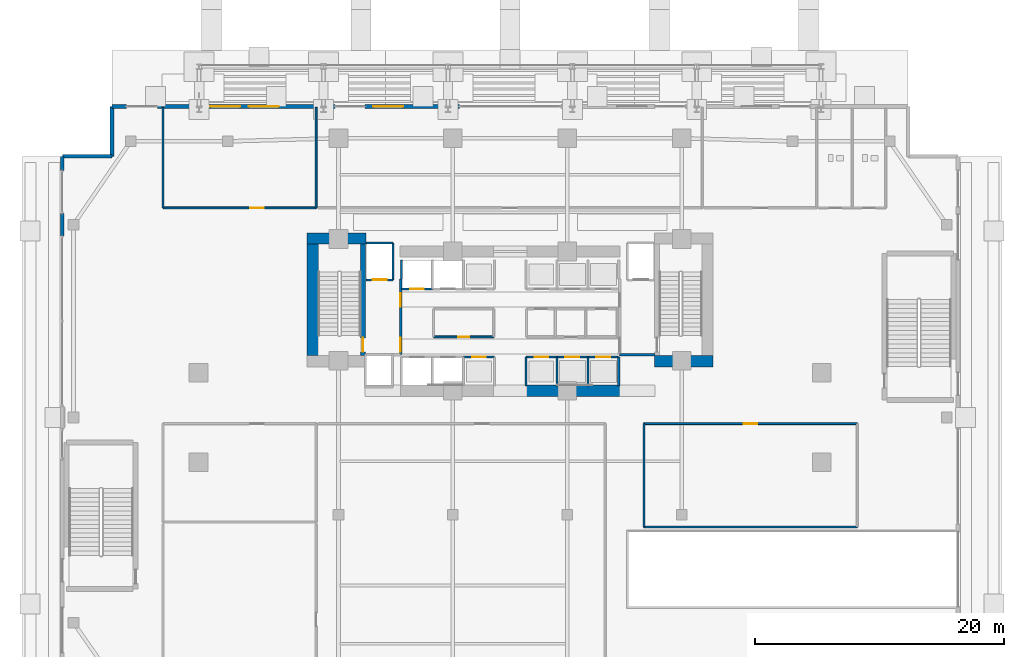
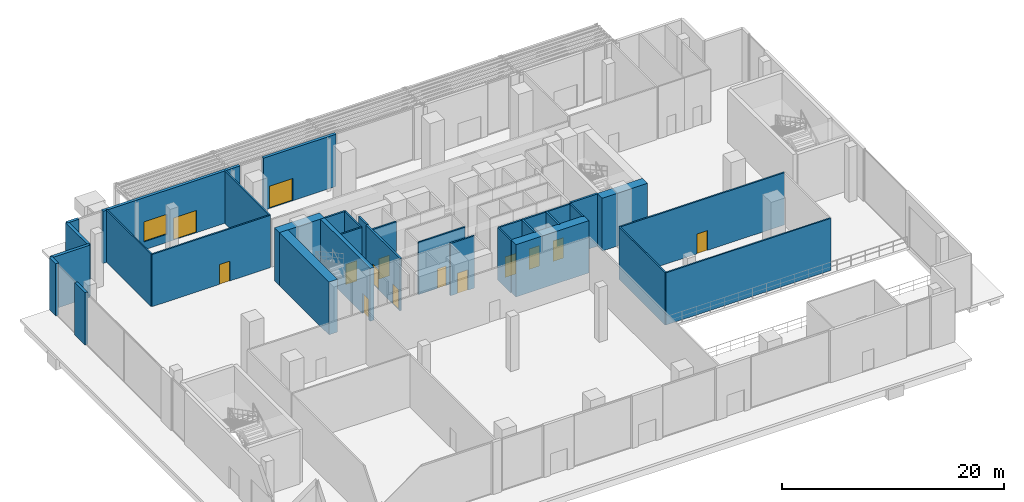
# One storey, part 29 of 39: 34 walls, 14 doors, 1 window, 15 openings.
"""IFC4 building model written with IfcOpenShell, lengths in metres."""

from ifc_helpers import new_model, si_unit, direction, frame, frame_2d, origin, place, context, subcontext, project, spatial, rectangle, extrude, material, layer, layer_set, type_object, element, fill, save


model = new_model("IFC4")

# Units and contexts
model_context = context("Model", 3, precision=1e-05, world=origin(), true_north=direction((0.0, 1.0)))
body_context = subcontext(model_context, "Body", "Model", "MODEL_VIEW")
ifc_project = project(units=[si_unit("LENGTHUNIT", "METRE"), si_unit("AREAUNIT", "SQUARE_METRE"), si_unit("VOLUMEUNIT", "CUBIC_METRE"), si_unit("PLANEANGLEUNIT", "RADIAN"), si_unit("MASSUNIT", "GRAM", prefix="KILO")], contexts=[model_context])

# Site, building, storey
site_placement = place(None, origin())
site = spatial("IfcSite", under=ifc_project, at=site_placement, CompositionType="ELEMENT")
building_placement = place(site_placement, origin())
building = spatial("IfcBuilding", under=site, at=building_placement, Name="Zuhayl Quay Hotel", CompositionType="ELEMENT")
storey_placement = place(building_placement, origin())
storey = spatial("IfcBuildingStorey", under=building, at=storey_placement, Name="L00", CompositionType="ELEMENT", Elevation=0.0)

# Walls
ifc_material_1 = material(Name="Concrete C70/85", Category="concrete")
ifc_layer_1 = layer(ifc_material_1, 0.89990234375, Name="Concrete C70/85", Category="concrete")
ifc_layer_set_1 = layer_set([ifc_layer_1], Name="Concrete C70/85")
wall_type_1 = type_object("IfcWallType", Name="WL_CORE_900", PredefinedType="SHEAR", material=ifc_layer_set_1)
wall_1_placement = place(storey_placement, frame((-16.31005859375, 14.3798828125, 0.0), z_axis=(0.0, 0.0, 1.0), x_axis=(1.0, 0.0, 0.0)))
element("IfcWall", 1, at=wall_1_placement, inside=storey, type_object=wall_type_1, Name="L00 Core Shear Wall CW_NW", PredefinedType="SHEAR", context=body_context, shape_type="SweptSolid", body=[
    extrude(rectangle(XDim=4.7099609375, YDim=0.89990234375, at=frame_2d((2.35498046875, 0.0))), origin(), (0.0, 0.0, 1.0), 5.81005859375),
])
wall_2_placement = place(storey_placement, frame((-15.860107421875, 4.969970703125, 0.0), z_axis=(0.0, 0.0, 1.0), x_axis=(0.0, 1.0, 0.0)))
element("IfcWall", 2, at=wall_2_placement, inside=storey, type_object=wall_type_1, Name="L00 Core Shear Wall CW_W", PredefinedType="SHEAR", context=body_context, shape_type="SweptSolid", body=[
    extrude(rectangle(XDim=8.9599609375, YDim=0.89990234375, at=frame_2d((4.47998046875, 0.0))), origin(), (0.0, 0.0, 1.0), 5.81005859375),
])
wall_3_placement = place(storey_placement, frame((11.60009765625, 4.52001953125, 0.0), z_axis=(0.0, 0.0, 1.0), x_axis=(1.0, 0.0, 0.0)))
element("IfcWall", 3, at=wall_3_placement, inside=storey, type_object=wall_type_1, Name="L00 Core Shear Wall CW_SE", PredefinedType="SHEAR", context=body_context, shape_type="SweptSolid", body=[
    extrude(rectangle(XDim=4.7099609375, YDim=0.89990234375, at=frame_2d((2.35498046875, 0.0))), origin(), (0.0, 0.0, 1.0), 5.81005859375),
])
wall_4_placement = place(storey_placement, frame((1.25, 2.14990234375, 0.0), z_axis=(0.0, 0.0, 1.0), x_axis=(1.0, 0.0, 0.0)))
element("IfcWall", 4, at=wall_4_placement, inside=storey, type_object=wall_type_1, Name="L00 Core Shear Wall CW_SC_E", PredefinedType="SHEAR", context=body_context, shape_type="SweptSolid", body=[
    extrude(rectangle(XDim=7.60009765625, YDim=0.89990234375, at=frame_2d((3.800048828125, 0.0))), origin(), (0.0, 0.0, 1.0), 5.75),
])
ifc_material_2 = material(Name="Precast concrete C45/55", Category="concrete")
ifc_layer_2 = layer(ifc_material_2, 0.300048828125, Name="Precast concrete C45/55", Category="concrete")
ifc_layer_set_2 = layer_set([ifc_layer_2], Name="Precast concrete C45/55")
wall_type_2 = type_object("IfcWallType", Name="WL_EXT_300", PredefinedType="STANDARD", material=ifc_layer_set_2)
wall_5_placement = place(storey_placement, frame((-36.0, 14.580078125, 0.0), z_axis=(0.0, 0.0, 1.0), x_axis=(0.0, 1.0, 0.0)))
element("IfcWall", 5, at=wall_5_placement, inside=storey, type_object=wall_type_2, Name="L00 Exterior Precast Wall ENV_L00_E02_EW3", PredefinedType="STANDARD", context=body_context, shape_type="SweptSolid", body=[
    extrude(rectangle(XDim=1.83984375, YDim=0.300048828125, at=frame_2d((0.919921875, 0.0))), origin(), (0.0, 0.0, 1.0), 5.75),
])
wall_6_placement = place(storey_placement, frame((-36.0, 19.85009765625, 0.0), z_axis=(0.0, 0.0, 1.0), x_axis=(0.0, 1.0, 0.0)))
element("IfcWall", 6, at=wall_6_placement, inside=storey, type_object=wall_type_2, Name="L00 Exterior Precast Wall ENV_L00_E02_EW4", PredefinedType="STANDARD", context=body_context, shape_type="SweptSolid", body=[
    extrude(rectangle(XDim=1.14990234375, YDim=0.300048828125, at=frame_2d((0.574951171875, 0.0))), origin(), (0.0, 0.0, 1.0), 5.75),
])
for number, where, z_axis, x_axis, name in (
    (7, (-36.0, 21.0, 0.0), (0.0, 0.0, 1.0), (1.0, 0.0, 0.0), "L00 Exterior Precast Wall ENV_L00_EW03"),
    (8, (-32.0, 21.0, 0.0), (0.0, 0.0, 1.0), (0.0, 1.0, 0.0), "L00 Exterior Precast Wall ENV_L00_EW04"),
):
    element("IfcWall", number, at=place(storey_placement, frame(where, z_axis=z_axis, x_axis=x_axis)), inside=storey, type_object=wall_type_2, Name=name, PredefinedType="STANDARD", context=body_context, shape_type="SweptSolid", body=[
        extrude(rectangle(XDim=4.0, YDim=0.300048828125, at=frame_2d((2.0, 0.0))), origin(), (0.0, 0.0, 1.0), 5.75),
    ])
wall_7_placement = place(storey_placement, frame((-32.0, 25.0, 0.0), z_axis=(0.0, 0.0, 1.0), x_axis=(1.0, 0.0, 0.0)))
element("IfcWall", 9, at=wall_7_placement, inside=storey, type_object=wall_type_2, Name="L00 Exterior Precast Wall ENV_L00_E05_EW1", PredefinedType="STANDARD", context=body_context, shape_type="SweptSolid", body=[
    extrude(rectangle(XDim=1.14990234375, YDim=0.300048828125, at=frame_2d((0.574951171875, 0.0))), origin(), (0.0, 0.0, 1.0), 5.75),
])

# Wall, openings, door, window
wall_8_placement = place(storey_placement, frame((-28.35009765625, 25.0, 0.0), z_axis=(0.0, 0.0, 1.0), x_axis=(1.0, 0.0, 0.0)))
wall_8 = element("IfcWall", 10, at=wall_8_placement, inside=storey, type_object=wall_type_2, Name="L00 Exterior Precast Wall ENV_L00_E05_EW2", PredefinedType="STANDARD", context=body_context, shape_type="SweptSolid", body=[
    extrude(rectangle(XDim=14.27001953125, YDim=0.300048828125, at=frame_2d((7.135009765625, 0.0))), origin(), (0.0, 0.0, 1.0), 5.75),
])
opening_1_placement = place(wall_8_placement, frame((7.35009765625, 0.0, 0.0)))
opening_1 = element("IfcOpeningElement", 11, at=opening_1_placement, cuts=wall_8, Name="Opening DE1B", PredefinedType="OPENING", context=body_context, shape_type="SweptSolid", body=[
    extrude(rectangle(XDim=2.39990234375, YDim=2.449951171875, at=frame_2d((1.199951171875, 1.22509765625))), frame((0.0, 0.159912109375, 0.0), z_axis=(0.0, -1.0, 0.0), x_axis=(1.0, 0.0, 0.0)), (0.0, 0.0, 1.0), 0.320068359375),
])
opening_2_placement = place(wall_8_placement, frame((4.25, 0.0, 0.89990234375)))
opening_2 = element("IfcOpeningElement", 12, at=opening_2_placement, cuts=wall_8, Name="Opening W02", PredefinedType="OPENING", context=body_context, shape_type="SweptSolid", body=[
    extrude(rectangle(XDim=2.39990234375, YDim=2.199951171875, at=frame_2d((1.199951171875, 1.10009765625))), frame((0.0, 0.159912109375, 0.0), z_axis=(0.0, -1.0, 0.0), x_axis=(1.0, 0.0, 0.0)), (0.0, 0.0, 1.0), 0.320068359375),
])
ifc_material_3 = material(Name="Anodised Aluminium and Laminated Glass", Category="aluminium")
door_type_1 = type_object("IfcDoorType", Name="DR_EXT_ENT_2400", OperationType="DOUBLE_DOOR_SINGLE_SWING", PredefinedType="DOOR", material=ifc_material_3)
door_1_placement = place(opening_1_placement, origin())
door_1 = element("IfcDoor", 13, at=door_1_placement, inside=storey, type_object=door_type_1, Name="Waterfront Brasserie Promenade Exit West", OperationType="DOUBLE_DOOR_SINGLE_SWING", OverallHeight=2.449951171875, OverallWidth=2.39990234375, PredefinedType="DOOR", context=body_context, shape_type="SweptSolid", body=[
    extrude(rectangle(XDim=2.39990234375, YDim=2.449951171875, at=frame_2d((1.199951171875, 1.22509765625))), frame((0.0, 0.02490234375, 0.0), z_axis=(0.0, -1.0, 0.0), x_axis=(1.0, 0.0, 0.0)), (0.0, 0.0, 1.0), 0.050048828125),
])
fill(opening_1, door_1)
ifc_material_4 = material(Name="Low-E Insulated Clear Vision Glass", Category="glass")
window_type = type_object("IfcWindowType", Name="WN_POD_2400", PartitioningType="TRIPLE_PANEL_VERTICAL", PredefinedType="WINDOW", material=ifc_material_4)
window_placement = place(opening_2_placement, origin())
window = element("IfcWindow", 14, at=window_placement, inside=storey, type_object=window_type, Name="L00 Brasserie Gulf Window", OverallHeight=2.199951171875, OverallWidth=2.39990234375, PartitioningType="SINGLE_PANEL", PredefinedType="WINDOW", context=body_context, shape_type="SweptSolid", body=[
    extrude(rectangle(XDim=2.39990234375, YDim=2.199951171875, at=frame_2d((1.199951171875, 1.10009765625))), frame((0.0, 0.030029296875, 0.0), z_axis=(0.0, -1.0, 0.0), x_axis=(1.0, 0.0, 0.0)), (0.0, 0.0, 1.0), 0.06005859375),
])
fill(opening_2, window)

# Wall, opening, door
wall_9_placement = place(storey_placement, frame((-11.64990234375, 25.0, 0.0), z_axis=(0.0, 0.0, 1.0), x_axis=(1.0, 0.0, 0.0)))
wall_9 = element("IfcWall", 15, at=wall_9_placement, inside=storey, type_object=wall_type_2, Name="L00 Exterior Precast Wall ENV_L00_E05_EW3", PredefinedType="STANDARD", context=body_context, shape_type="SweptSolid", body=[
    extrude(rectangle(XDim=7.56982421875, YDim=0.300048828125, at=frame_2d((3.784912109375, 0.0))), origin(), (0.0, 0.0, 1.0), 5.75),
])
opening_3_placement = place(wall_9_placement, frame((0.64990234375, 0.0, 0.0)))
opening_3 = element("IfcOpeningElement", 16, at=opening_3_placement, cuts=wall_9, Name="Opening DE1B", PredefinedType="OPENING", context=body_context, shape_type="SweptSolid", body=[
    extrude(rectangle(XDim=2.39990234375, YDim=2.449951171875, at=frame_2d((1.199951171875, 1.22509765625))), frame((0.0, 0.159912109375, 0.0), z_axis=(0.0, -1.0, 0.0), x_axis=(1.0, 0.0, 0.0)), (0.0, 0.0, 1.0), 0.320068359375),
])
door_2_placement = place(opening_3_placement, origin())
door_2 = element("IfcDoor", 17, at=door_2_placement, inside=storey, type_object=door_type_1, Name="Grand Waterfront Entrance West", OperationType="DOUBLE_DOOR_SINGLE_SWING", OverallHeight=2.449951171875, OverallWidth=2.39990234375, PredefinedType="DOOR", context=body_context, shape_type="SweptSolid", body=[
    extrude(rectangle(XDim=2.39990234375, YDim=2.449951171875, at=frame_2d((1.199951171875, 1.22509765625))), frame((0.0, 0.02490234375, 0.0), z_axis=(0.0, -1.0, 0.0), x_axis=(1.0, 0.0, 0.0)), (0.0, 0.0, 1.0), 0.050048828125),
])
fill(opening_3, door_2)

ifc_material_5 = material(Name="Acoustic Gypsum Partition STC-58")
ifc_layer_3 = layer(ifc_material_5, 0.14990234375, Name="Acoustic Gypsum Partition STC-58")
ifc_layer_set_3 = layer_set([ifc_layer_3], Name="Acoustic Gypsum Partition STC-58")
wall_type_3 = type_object("IfcWallType", Name="WL_PART_150", PredefinedType="PARTITIONING", material=ifc_layer_set_3)
wall_10_placement = place(storey_placement, frame((-6.159912109375, 6.47998046875, 0.0), z_axis=(0.0, 0.0, 1.0), x_axis=(1.0, 0.0, 0.0)))
wall_10 = element("IfcWall", 18, at=wall_10_placement, inside=storey, type_object=wall_type_3, Name="L00 Partition IW_L00_CORE_SV_S", PredefinedType="PARTITIONING", context=body_context, shape_type="SweptSolid", body=[
    extrude(rectangle(XDim=4.83984375, YDim=0.14990234375, at=frame_2d((2.419921875, 0.0))), origin(), (0.0, 0.0, 1.0), 5.75),
])
opening_4_placement = place(wall_10_placement, frame((1.969970703125, 0.0, 0.0)))
opening_4 = element("IfcOpeningElement", 19, at=opening_4_placement, cuts=wall_10, Name="Opening D06", PredefinedType="OPENING", context=body_context, shape_type="SweptSolid", body=[
    extrude(rectangle(XDim=0.89990234375, YDim=2.14990234375, at=frame_2d((0.449951171875, 1.074951171875))), frame((0.0, 0.0849609375, 0.0), z_axis=(0.0, -1.0, 0.0), x_axis=(1.0, 0.0, 0.0)), (0.0, 0.0, 1.0), 0.169921875),
])
ifc_material_6 = material(Name="Steel ASTM A992 Grade 50", Category="steel")
door_type_2 = type_object("IfcDoorType", Name="DR_INT_900", OperationType="NOTDEFINED", PredefinedType="DOOR", material=ifc_material_6)
door_3_placement = place(opening_4_placement, origin())
door_3 = element("IfcDoor", 20, at=door_3_placement, inside=storey, type_object=door_type_2, Name="L00 Core Ice and Linen Store Door", OperationType="SINGLE_SWING_RIGHT", OverallHeight=2.14990234375, OverallWidth=0.89990234375, PredefinedType="DOOR", context=body_context, shape_type="SweptSolid", body=[
    extrude(rectangle(XDim=0.89990234375, YDim=2.14990234375, at=frame_2d((0.449951171875, 1.074951171875))), frame((0.0, 0.02490234375, 0.0), z_axis=(0.0, -1.0, 0.0), x_axis=(1.0, 0.0, 0.0)), (0.0, 0.0, 1.0), 0.050048828125),
])
fill(opening_4, door_3)

# Walls
for number, where, z_axis, x_axis, name in (
    (21, (-27.89990234375, 16.85009765625, 0.0), (0.0, 0.0, 1.0), (0.0, 1.0, 0.0), "L00 Partition IW_L00_BRASSERIE_W"),
    (22, (-15.60009765625, 16.85009765625, 0.0), (0.0, 0.0, 1.0), (0.0, 1.0, 0.0), "L00 Partition IW_L00_BRASSERIE_E"),
):
    element("IfcWall", number, at=place(storey_placement, frame(where, z_axis=z_axis, x_axis=x_axis)), inside=storey, type_object=wall_type_3, Name=name, PredefinedType="PARTITIONING", context=body_context, shape_type="SweptSolid", body=[
        extrude(rectangle(XDim=8.08984375, YDim=0.14990234375, at=frame_2d((4.044921875, 0.0))), origin(), (0.0, 0.0, 1.0), 5.75),
    ])
wall_11_placement = place(storey_placement, frame((10.760009765625, -8.800048828125, 0.0), z_axis=(0.0, 0.0, 1.0), x_axis=(1.0, 0.0, 0.0)))
element("IfcWall", 23, at=wall_11_placement, inside=storey, type_object=wall_type_3, Name="L00 Partition IW_L00_LUGGAGE_E_S", PredefinedType="PARTITIONING", context=body_context, shape_type="SweptSolid", body=[
    extrude(rectangle(XDim=17.139892578125, YDim=0.14990234375, at=frame_2d((8.56982421875, 0.0))), origin(), (0.0, 0.0, 1.0), 5.75),
])
wall_12_placement = place(storey_placement, frame((10.760009765625, -8.800048828125, 0.0), z_axis=(0.0, 0.0, 1.0), x_axis=(0.0, 1.0, 0.0)))
element("IfcWall", 24, at=wall_12_placement, inside=storey, type_object=wall_type_3, Name="L00 Partition IW_L00_LUGGAGE_E_W", PredefinedType="PARTITIONING", context=body_context, shape_type="SweptSolid", body=[
    extrude(rectangle(XDim=8.300048828125, YDim=0.14990234375, at=frame_2d((4.14990234375, 0.0))), origin(), (0.0, 0.0, 1.0), 5.75),
])

# Wall, opening, door
ifc_layer_4 = layer(ifc_material_5, 0.159912109375, Name="Acoustic Gypsum Partition STC-58")
ifc_layer_set_4 = layer_set([ifc_layer_4], Name="Acoustic Gypsum Partition STC-58")
wall_type_4 = type_object("IfcWallType", Name="WL_PART_CORR_160", PredefinedType="PARTITIONING", material=ifc_layer_set_4)
wall_13_placement = place(storey_placement, frame((-27.89990234375, 16.85009765625, 0.0), z_axis=(0.0, 0.0, 1.0), x_axis=(1.0, 0.0, 0.0)))
wall_13 = element("IfcWall", 25, at=wall_13_placement, inside=storey, type_object=wall_type_4, Name="L00 Partition IW_L00_BRASSERIE_S", PredefinedType="PARTITIONING", context=body_context, shape_type="SweptSolid", body=[
    extrude(rectangle(XDim=12.2998046875, YDim=0.159912109375, at=frame_2d((6.14990234375, 0.0))), origin(), (0.0, 0.0, 1.0), 5.75),
])
opening_5_placement = place(wall_13_placement, frame((7.010009765625, 0.0, 0.0)))
opening_5 = element("IfcOpeningElement", 26, at=opening_5_placement, cuts=wall_13, Name="Opening D05A", PredefinedType="OPENING", context=body_context, shape_type="SweptSolid", body=[
    extrude(rectangle(XDim=1.080078125, YDim=2.179931640625, at=frame_2d((0.5400390625, 1.08984375))), frame((0.0, 0.08984375, 0.0), z_axis=(0.0, -1.0, 0.0), x_axis=(1.0, 0.0, 0.0)), (0.0, 0.0, 1.0), 0.179931640625),
])
ifc_material_7 = material(Name="Solid Walnut Acoustic Fire Door")
door_type_3 = type_object("IfcDoorType", Name="DR_INT_1100", OperationType="NOTDEFINED", PredefinedType="DOOR", material=ifc_material_7)
door_4_placement = place(opening_5_placement, origin())
door_4 = element("IfcDoor", 27, at=door_4_placement, inside=storey, type_object=door_type_3, Name="L00 Arabian Gulf Brasserie Restaurant Door", OperationType="SINGLE_SWING_RIGHT", OverallHeight=2.179931640625, OverallWidth=1.080078125, PredefinedType="DOOR", context=body_context, shape_type="SweptSolid", body=[
    extrude(rectangle(XDim=1.080078125, YDim=2.179931640625, at=frame_2d((0.5400390625, 1.08984375))), frame((0.0, 0.02490234375, 0.0), z_axis=(0.0, -1.0, 0.0), x_axis=(1.0, 0.0, 0.0)), (0.0, 0.0, 1.0), 0.050048828125),
])
fill(opening_5, door_4)

wall_14_placement = place(storey_placement, frame((10.760009765625, -0.5, 0.0), z_axis=(0.0, 0.0, 1.0), x_axis=(1.0, 0.0, 0.0)))
wall_14 = element("IfcWall", 28, at=wall_14_placement, inside=storey, type_object=wall_type_4, Name="L00 Partition IW_L00_LUGGAGE_E_N", PredefinedType="PARTITIONING", context=body_context, shape_type="SweptSolid", body=[
    extrude(rectangle(XDim=17.139892578125, YDim=0.159912109375, at=frame_2d((8.56982421875, 0.0))), origin(), (0.0, 0.0, 1.0), 5.75),
])
opening_6_placement = place(wall_14_placement, frame((8.030029296875, 0.0, 0.0)))
opening_6 = element("IfcOpeningElement", 29, at=opening_6_placement, cuts=wall_14, Name="Opening D05A", PredefinedType="OPENING", context=body_context, shape_type="SweptSolid", body=[
    extrude(rectangle(XDim=1.080078125, YDim=2.179931640625, at=frame_2d((0.5400390625, 1.08984375))), frame((0.0, 0.08984375, 0.0), z_axis=(0.0, -1.0, 0.0), x_axis=(1.0, 0.0, 0.0)), (0.0, 0.0, 1.0), 0.179931640625),
])
door_5_placement = place(opening_6_placement, origin())
door_5 = element("IfcDoor", 30, at=door_5_placement, inside=storey, type_object=door_type_3, Name="L00 Bell Desk and Luggage Salon Door", OperationType="SINGLE_SWING_RIGHT", OverallHeight=2.179931640625, OverallWidth=1.080078125, PredefinedType="DOOR", context=body_context, shape_type="SweptSolid", body=[
    extrude(rectangle(XDim=1.080078125, YDim=2.179931640625, at=frame_2d((0.5400390625, 1.08984375))), frame((0.0, 0.02490234375, 0.0), z_axis=(0.0, -1.0, 0.0), x_axis=(1.0, 0.0, 0.0)), (0.0, 0.0, 1.0), 0.050048828125),
])
fill(opening_6, door_5)

ifc_material_8 = material(Name="Gypsum Fireboard Assembly EI-90")
ifc_layer_5 = layer(ifc_material_8, 0.1650390625, Name="Gypsum Fireboard Assembly EI-90")
ifc_layer_set_5 = layer_set([ifc_layer_5], Name="Gypsum Fireboard Assembly EI-90")
wall_type_5 = type_object("IfcWallType", Name="WL_PART_SHAFT_160", PredefinedType="PARTITIONING", material=ifc_layer_set_5)
wall_15_placement = place(storey_placement, frame((-11.580078125, 11.070068359375, 0.0), z_axis=(0.0, 0.0, 1.0), x_axis=(1.0, 0.0, 0.0)))
wall_15 = element("IfcWall", 31, at=wall_15_placement, inside=storey, type_object=wall_type_5, Name="L00 Partition IW_L00_SH_FL1_F", PredefinedType="PARTITIONING", context=body_context, shape_type="SweptSolid", body=[
    extrude(rectangle(XDim=2.16015625, YDim=0.1650390625, at=frame_2d((1.080078125, 0.0))), origin(), (0.0, 0.0, 1.0), 5.75),
])
opening_7_placement = place(wall_15_placement, frame((0.530029296875, 0.0, 0.0)))
opening_7 = element("IfcOpeningElement", 32, at=opening_7_placement, cuts=wall_15, Name="Opening LD2", PredefinedType="OPENING", context=body_context, shape_type="SweptSolid", body=[
    extrude(rectangle(XDim=1.14990234375, YDim=2.25, at=frame_2d((0.574951171875, 1.125))), frame((0.0, 0.092529296875, 0.0), z_axis=(0.0, -1.0, 0.0), x_axis=(1.0, 0.0, 0.0)), (0.0, 0.0, 1.0), 0.18505859375),
])
ifc_material_9 = material(Name="Brushed Stainless Steel", Category="steel")
door_type_4 = type_object("IfcDoorType", Name="DR_LIFT_FF_1100", OperationType="SLIDING_TO_LEFT", PredefinedType="DOOR", material=ifc_material_9)
door_6_placement = place(opening_7_placement, origin())
door_6 = element("IfcDoor", 33, at=door_6_placement, inside=storey, type_object=door_type_4, Name="L00 Lift FL1 Sliding Landing Door", OperationType="SLIDING_TO_LEFT", OverallHeight=2.25, OverallWidth=1.14990234375, PredefinedType="DOOR", context=body_context, shape_type="SweptSolid", body=[
    extrude(rectangle(XDim=1.14990234375, YDim=2.25, at=frame_2d((0.574951171875, 1.125))), frame((0.0, 0.02490234375, 0.0), z_axis=(0.0, -1.0, 0.0), x_axis=(1.0, 0.0, 0.0)), (0.0, 0.0, 1.0), 0.050048828125),
])
fill(opening_7, door_6)

wall_16_placement = place(storey_placement, frame((-8.72998046875, 10.320068359375, 0.0), z_axis=(0.0, 0.0, 1.0), x_axis=(1.0, 0.0, 0.0)))
wall_16 = element("IfcWall", 34, at=wall_16_placement, inside=storey, type_object=wall_type_5, Name="L00 Partition IW_L00_SH_LP3_F", PredefinedType="PARTITIONING", context=body_context, shape_type="SweptSolid", body=[
    extrude(rectangle(XDim=2.47998046875, YDim=0.1650390625, at=frame_2d((1.239990234375, 0.0))), origin(), (0.0, 0.0, 1.0), 5.75),
])
opening_8_placement = place(wall_16_placement, frame((0.68994140625, 0.0, 0.0)))
opening_8 = element("IfcOpeningElement", 35, at=opening_8_placement, cuts=wall_16, Name="Opening LD1", PredefinedType="OPENING", context=body_context, shape_type="SweptSolid", body=[
    extrude(rectangle(XDim=1.10009765625, YDim=2.25, at=frame_2d((0.550048828125, 1.125))), frame((0.0, 0.092529296875, 0.0), z_axis=(0.0, -1.0, 0.0), x_axis=(1.0, 0.0, 0.0)), (0.0, 0.0, 1.0), 0.18505859375),
])
door_type_5 = type_object("IfcDoorType", Name="DR_LIFT_PASS_1100", OperationType="SLIDING_TO_LEFT", PredefinedType="DOOR", material=ifc_material_9)
door_7_placement = place(opening_8_placement, origin())
door_7 = element("IfcDoor", 36, at=door_7_placement, inside=storey, type_object=door_type_5, Name="L00 Lift LP3 Sliding Landing Door", OperationType="SLIDING_TO_LEFT", OverallHeight=2.25, OverallWidth=1.10009765625, PredefinedType="DOOR", context=body_context, shape_type="SweptSolid", body=[
    extrude(rectangle(XDim=1.10009765625, YDim=2.25, at=frame_2d((0.550048828125, 1.125))), frame((0.0, 0.02490234375, 0.0), z_axis=(0.0, -1.0, 0.0), x_axis=(1.0, 0.0, 0.0)), (0.0, 0.0, 1.0), 0.050048828125),
])
fill(opening_8, door_7)

wall_17_placement = place(storey_placement, frame((-3.75, 4.8798828125, 0.0), z_axis=(0.0, 0.0, 1.0), x_axis=(1.0, 0.0, 0.0)))
wall_17 = element("IfcWall", 37, at=wall_17_placement, inside=storey, type_object=wall_type_5, Name="L00 Partition IW_L00_SH_MP1_F", PredefinedType="PARTITIONING", context=body_context, shape_type="SweptSolid", body=[
    extrude(rectangle(XDim=2.47998046875, YDim=0.1650390625, at=frame_2d((1.239990234375, 0.0))), origin(), (0.0, 0.0, 1.0), 5.75),
])
opening_9_placement = place(wall_17_placement, frame((0.68994140625, 0.0, 0.0)))
opening_9 = element("IfcOpeningElement", 38, at=opening_9_placement, cuts=wall_17, Name="Opening LD1", PredefinedType="OPENING", context=body_context, shape_type="SweptSolid", body=[
    extrude(rectangle(XDim=1.10009765625, YDim=2.25, at=frame_2d((0.550048828125, 1.125))), frame((0.0, 0.092529296875, 0.0), z_axis=(0.0, -1.0, 0.0), x_axis=(1.0, 0.0, 0.0)), (0.0, 0.0, 1.0), 0.18505859375),
])
door_8_placement = place(opening_9_placement, origin())
door_8 = element("IfcDoor", 39, at=door_8_placement, inside=storey, type_object=door_type_5, Name="L00 Lift MP1 Sliding Landing Door", OperationType="SLIDING_TO_LEFT", OverallHeight=2.25, OverallWidth=1.10009765625, PredefinedType="DOOR", context=body_context, shape_type="SweptSolid", body=[
    extrude(rectangle(XDim=1.10009765625, YDim=2.25, at=frame_2d((0.550048828125, 1.125))), frame((0.0, 0.02490234375, 0.0), z_axis=(0.0, -1.0, 0.0), x_axis=(1.0, 0.0, 0.0)), (0.0, 0.0, 1.0), 0.050048828125),
])
fill(opening_9, door_8)

wall_18_placement = place(storey_placement, frame((1.27001953125, 4.8798828125, 0.0), z_axis=(0.0, 0.0, 1.0), x_axis=(1.0, 0.0, 0.0)))
wall_18 = element("IfcWall", 40, at=wall_18_placement, inside=storey, type_object=wall_type_5, Name="L00 Partition IW_L00_SH_MP2_F", PredefinedType="PARTITIONING", context=body_context, shape_type="SweptSolid", body=[
    extrude(rectangle(XDim=2.47998046875, YDim=0.1650390625, at=frame_2d((1.239990234375, 0.0))), origin(), (0.0, 0.0, 1.0), 5.75),
])
opening_10_placement = place(wall_18_placement, frame((0.68994140625, 0.0, 0.0)))
opening_10 = element("IfcOpeningElement", 41, at=opening_10_placement, cuts=wall_18, Name="Opening LD1", PredefinedType="OPENING", context=body_context, shape_type="SweptSolid", body=[
    extrude(rectangle(XDim=1.10009765625, YDim=2.25, at=frame_2d((0.550048828125, 1.125))), frame((0.0, 0.092529296875, 0.0), z_axis=(0.0, -1.0, 0.0), x_axis=(1.0, 0.0, 0.0)), (0.0, 0.0, 1.0), 0.18505859375),
])
door_9_placement = place(opening_10_placement, origin())
door_9 = element("IfcDoor", 42, at=door_9_placement, inside=storey, type_object=door_type_5, Name="L00 Lift MP2 Sliding Landing Door", OperationType="SLIDING_TO_LEFT", OverallHeight=2.25, OverallWidth=1.10009765625, PredefinedType="DOOR", context=body_context, shape_type="SweptSolid", body=[
    extrude(rectangle(XDim=1.10009765625, YDim=2.25, at=frame_2d((0.550048828125, 1.125))), frame((0.0, 0.02490234375, 0.0), z_axis=(0.0, -1.0, 0.0), x_axis=(1.0, 0.0, 0.0)), (0.0, 0.0, 1.0), 0.050048828125),
])
fill(opening_10, door_9)

wall_19_placement = place(storey_placement, frame((3.75, 4.8798828125, 0.0), z_axis=(0.0, 0.0, 1.0), x_axis=(1.0, 0.0, 0.0)))
wall_19 = element("IfcWall", 43, at=wall_19_placement, inside=storey, type_object=wall_type_5, Name="L00 Partition IW_L00_SH_HP1_F", PredefinedType="PARTITIONING", context=body_context, shape_type="SweptSolid", body=[
    extrude(rectangle(XDim=2.5, YDim=0.1650390625, at=frame_2d((1.25, 0.0))), origin(), (0.0, 0.0, 1.0), 5.75),
])
opening_11_placement = place(wall_19_placement, frame((0.699951171875, 0.0, 0.0)))
opening_11 = element("IfcOpeningElement", 44, at=opening_11_placement, cuts=wall_19, Name="Opening LD1", PredefinedType="OPENING", context=body_context, shape_type="SweptSolid", body=[
    extrude(rectangle(XDim=1.10009765625, YDim=2.25, at=frame_2d((0.550048828125, 1.125))), frame((0.0, 0.092529296875, 0.0), z_axis=(0.0, -1.0, 0.0), x_axis=(1.0, 0.0, 0.0)), (0.0, 0.0, 1.0), 0.18505859375),
])
door_10_placement = place(opening_11_placement, origin())
door_10 = element("IfcDoor", 45, at=door_10_placement, inside=storey, type_object=door_type_5, Name="L00 Lift HP1 Sliding Landing Door", OperationType="SLIDING_TO_LEFT", OverallHeight=2.25, OverallWidth=1.10009765625, PredefinedType="DOOR", context=body_context, shape_type="SweptSolid", body=[
    extrude(rectangle(XDim=1.10009765625, YDim=2.25, at=frame_2d((0.550048828125, 1.125))), frame((0.0, 0.02490234375, 0.0), z_axis=(0.0, -1.0, 0.0), x_axis=(1.0, 0.0, 0.0)), (0.0, 0.0, 1.0), 0.050048828125),
])
fill(opening_11, door_10)

wall_20_placement = place(storey_placement, frame((6.25, 4.8798828125, 0.0), z_axis=(0.0, 0.0, 1.0), x_axis=(1.0, 0.0, 0.0)))
wall_20 = element("IfcWall", 46, at=wall_20_placement, inside=storey, type_object=wall_type_5, Name="L00 Partition IW_L00_SH_HP2_F", PredefinedType="PARTITIONING", context=body_context, shape_type="SweptSolid", body=[
    extrude(rectangle(XDim=2.47998046875, YDim=0.1650390625, at=frame_2d((1.239990234375, 0.0))), origin(), (0.0, 0.0, 1.0), 5.75),
])
opening_12_placement = place(wall_20_placement, frame((0.68994140625, 0.0, 0.0)))
opening_12 = element("IfcOpeningElement", 47, at=opening_12_placement, cuts=wall_20, Name="Opening LD1", PredefinedType="OPENING", context=body_context, shape_type="SweptSolid", body=[
    extrude(rectangle(XDim=1.10009765625, YDim=2.25, at=frame_2d((0.550048828125, 1.125))), frame((0.0, 0.092529296875, 0.0), z_axis=(0.0, -1.0, 0.0), x_axis=(1.0, 0.0, 0.0)), (0.0, 0.0, 1.0), 0.18505859375),
])
door_11_placement = place(opening_12_placement, origin())
door_11 = element("IfcDoor", 48, at=door_11_placement, inside=storey, type_object=door_type_5, Name="L00 Lift HP2 Sliding Landing Door", OperationType="SLIDING_TO_LEFT", OverallHeight=2.25, OverallWidth=1.10009765625, PredefinedType="DOOR", context=body_context, shape_type="SweptSolid", body=[
    extrude(rectangle(XDim=1.10009765625, YDim=2.25, at=frame_2d((0.550048828125, 1.125))), frame((0.0, 0.02490234375, 0.0), z_axis=(0.0, -1.0, 0.0), x_axis=(1.0, 0.0, 0.0)), (0.0, 0.0, 1.0), 0.050048828125),
])
fill(opening_12, door_11)

# Walls
wall_21_placement = place(storey_placement, frame((-9.419921875, 11.070068359375, 0.0), z_axis=(0.0, 0.0, 1.0), x_axis=(0.0, 1.0, 0.0)))
element("IfcWall", 49, at=wall_21_placement, inside=storey, type_object=wall_type_5, Name="L00 Partition IW_L00_SH_FL1_E", PredefinedType="PARTITIONING", context=body_context, shape_type="SweptSolid", body=[
    extrude(rectangle(XDim=2.9599609375, YDim=0.1650390625, at=frame_2d((1.47998046875, 0.0))), origin(), (0.0, 0.0, 1.0), 5.75),
])
wall_22_placement = place(storey_placement, frame((-11.580078125, 14.030029296875, 0.0), z_axis=(0.0, 0.0, 1.0), x_axis=(1.0, 0.0, 0.0)))
element("IfcWall", 50, at=wall_22_placement, inside=storey, type_object=wall_type_5, Name="L00 Partition IW_L00_SH_FL1_B", PredefinedType="PARTITIONING", context=body_context, shape_type="SweptSolid", body=[
    extrude(rectangle(XDim=2.16015625, YDim=0.1650390625, at=frame_2d((1.080078125, 0.0))), origin(), (0.0, 0.0, 1.0), 5.75),
])
wall_23_placement = place(storey_placement, frame((-8.72998046875, 11.14990234375, 0.0), z_axis=(0.0, 0.0, 1.0), x_axis=(0.0, 1.0, 0.0)))
element("IfcWall", 51, at=wall_23_placement, inside=storey, type_object=wall_type_5, Name="L00 Partition IW_L00_SH_LP3_W", PredefinedType="PARTITIONING", context=body_context, shape_type="SweptSolid", body=[
    extrude(rectangle(XDim=1.530029296875, YDim=0.1650390625, at=frame_2d((0.76513671875, 0.0))), origin(), (0.0, 0.0, 1.0), 5.75),
])
for number, where, z_axis, x_axis, name in (
    (52, (1.27001953125, 2.52001953125, 0.0), (0.0, 0.0, 1.0), (0.0, 1.0, 0.0), "L00 Partition IW_L00_SH_MP2_W"),
    (53, (3.75, 2.52001953125, 0.0), (0.0, 0.0, 1.0), (0.0, 1.0, 0.0), "L00 Partition IW_L00_SH_MP2_E"),
    (54, (6.25, 2.52001953125, 0.0), (0.0, 0.0, 1.0), (0.0, 1.0, 0.0), "L00 Partition IW_L00_SH_HP1_E"),
    (55, (8.72998046875, 2.52001953125, 0.0), (0.0, 0.0, 1.0), (0.0, 1.0, 0.0), "L00 Partition IW_L00_SH_HP2_E"),
):
    element("IfcWall", number, at=place(storey_placement, frame(where, z_axis=z_axis, x_axis=x_axis)), inside=storey, type_object=wall_type_5, Name=name, PredefinedType="PARTITIONING", context=body_context, shape_type="SweptSolid", body=[
        extrude(rectangle(XDim=2.35986328125, YDim=0.1650390625, at=frame_2d((1.179931640625, 0.0))), origin(), (0.0, 0.0, 1.0), 5.75),
    ])

# Wall, openings, doors
ifc_material_10 = material(Name="Gypsum Fireboard Assembly EI-120")
ifc_layer_6 = layer(ifc_material_10, 0.199951171875, Name="Gypsum Fireboard Assembly EI-120")
ifc_layer_set_6 = layer_set([ifc_layer_6], Name="Gypsum Fireboard Assembly EI-120")
wall_type_6 = type_object("IfcWallType", Name="WL_PART_SHAFT_200", PredefinedType="PARTITIONING", material=ifc_layer_set_6)
wall_24_placement = place(storey_placement, frame((-8.800048828125, 5.050048828125, 0.0), z_axis=(0.0, 0.0, 1.0), x_axis=(0.0, 1.0, 0.0)))
wall_24 = element("IfcWall", 56, at=wall_24_placement, inside=storey, type_object=wall_type_6, Name="L00 Partition IW_L00_FSAE_W_E", PredefinedType="PARTITIONING", context=body_context, shape_type="SweptSolid", body=[
    extrude(rectangle(XDim=6.099853515625, YDim=0.199951171875, at=frame_2d((3.0498046875, 0.0))), origin(), (0.0, 0.0, 1.0), 5.75),
])
opening_13_placement = place(wall_24_placement, frame((0.25, 0.0, 0.0)))
opening_13 = element("IfcOpeningElement", 57, at=opening_13_placement, cuts=wall_24, Name="Opening D02", PredefinedType="OPENING", context=body_context, shape_type="SweptSolid", body=[
    extrude(rectangle(XDim=1.10009765625, YDim=2.199951171875, at=frame_2d((0.550048828125, 1.10009765625))), frame((0.0, 0.10986328125, 0.0), z_axis=(0.0, -1.0, 0.0), x_axis=(1.0, 0.0, 0.0)), (0.0, 0.0, 1.0), 0.219970703125),
])
opening_14_placement = place(wall_24_placement, frame((3.85009765625, 0.0, 0.0)))
opening_14 = element("IfcOpeningElement", 58, at=opening_14_placement, cuts=wall_24, Name="Opening D02", PredefinedType="OPENING", context=body_context, shape_type="SweptSolid", body=[
    extrude(rectangle(XDim=1.10009765625, YDim=2.199951171875, at=frame_2d((0.550048828125, 1.10009765625))), frame((0.0, 0.10986328125, 0.0), z_axis=(0.0, -1.0, 0.0), x_axis=(1.0, 0.0, 0.0)), (0.0, 0.0, 1.0), 0.219970703125),
])
door_type_6 = type_object("IfcDoorType", Name="DR_FIRE_90_1100", OperationType="NOTDEFINED", PredefinedType="DOOR", material=ifc_material_6)
door_12_placement = place(opening_13_placement, origin())
door_12 = element("IfcDoor", 59, at=door_12_placement, inside=storey, type_object=door_type_6, Name="L00 FSAE Lobby West South Entry Door", OperationType="SINGLE_SWING_RIGHT", OverallHeight=2.199951171875, OverallWidth=1.10009765625, PredefinedType="DOOR", context=body_context, shape_type="SweptSolid", body=[
    extrude(rectangle(XDim=1.10009765625, YDim=2.199951171875, at=frame_2d((0.550048828125, 1.10009765625))), frame((0.0, 0.02490234375, 0.0), z_axis=(0.0, -1.0, 0.0), x_axis=(1.0, 0.0, 0.0)), (0.0, 0.0, 1.0), 0.050048828125),
])
fill(opening_13, door_12)
door_13_placement = place(opening_14_placement, origin())
door_13 = element("IfcDoor", 60, at=door_13_placement, inside=storey, type_object=door_type_6, Name="L00 FSAE Lobby West North Entry Door", OperationType="SINGLE_SWING_LEFT", OverallHeight=2.199951171875, OverallWidth=1.10009765625, PredefinedType="DOOR", context=body_context, shape_type="SweptSolid", body=[
    extrude(rectangle(XDim=1.10009765625, YDim=2.199951171875, at=frame_2d((0.550048828125, 1.10009765625))), frame((0.0, 0.02490234375, 0.0), z_axis=(0.0, -1.0, 0.0), x_axis=(1.0, 0.0, 0.0)), (0.0, 0.0, 1.0), 0.050048828125),
])
fill(opening_14, door_13)

# Wall
wall_25_placement = place(storey_placement, frame((8.800048828125, 5.050048828125, 0.0), z_axis=(0.0, 0.0, 1.0), x_axis=(1.0, 0.0, 0.0)))
element("IfcWall", 61, at=wall_25_placement, inside=storey, type_object=wall_type_6, Name="L00 Partition IW_L00_FSAE_E_S", PredefinedType="PARTITIONING", context=body_context, shape_type="SweptSolid", body=[
    extrude(rectangle(XDim=2.849853515625, YDim=0.199951171875, at=frame_2d((1.4248046875, 0.0))), origin(), (0.0, 0.0, 1.0), 5.75),
])

# Wall, opening, door
ifc_material_11 = material(Name="Concrete C60/75", Category="concrete")
ifc_layer_7 = layer(ifc_material_11, 0.39990234375, Name="Concrete C60/75", Category="concrete")
ifc_layer_set_7 = layer_set([ifc_layer_7], Name="Concrete C60/75")
wall_type_7 = type_object("IfcWallType", Name="WL_STAIR_400", PredefinedType="SHEAR", material=ifc_layer_set_7)
wall_26_placement = place(storey_placement, frame((-11.820068359375, 4.969970703125, 0.0), z_axis=(0.0, 0.0, 1.0), x_axis=(0.0, 1.0, 0.0)))
wall_26 = element("IfcWall", 62, at=wall_26_placement, inside=storey, type_object=wall_type_7, Name="L00 Core Shear Wall SW_ST1", PredefinedType="SHEAR", context=body_context, shape_type="SweptSolid", body=[
    extrude(rectangle(XDim=8.9599609375, YDim=0.39990234375, at=frame_2d((4.47998046875, 0.0))), origin(), (0.0, 0.0, 1.0), 5.81005859375),
])
opening_15_placement = place(wall_26_placement, frame((0.31005859375, 0.0, 0.0)))
opening_15 = element("IfcOpeningElement", 63, at=opening_15_placement, cuts=wall_26, Name="Opening D01", PredefinedType="OPENING", context=body_context, shape_type="SweptSolid", body=[
    extrude(rectangle(XDim=1.1201171875, YDim=2.219970703125, at=frame_2d((0.56005859375, 1.10986328125))), frame((0.0, 0.2099609375, 0.0), z_axis=(0.0, -1.0, 0.0), x_axis=(1.0, 0.0, 0.0)), (0.0, 0.0, 1.0), 0.419921875),
])
door_type_7 = type_object("IfcDoorType", Name="DR_STAIR_90_1100", OperationType="NOTDEFINED", PredefinedType="DOOR", material=ifc_material_6)
door_14_placement = place(opening_15_placement, origin())
door_14 = element("IfcDoor", 64, at=door_14_placement, inside=storey, type_object=door_type_7, Name="L00 Smokeproof Exit Stair ST1 Door", OperationType="SINGLE_SWING_LEFT", OverallHeight=2.219970703125, OverallWidth=1.1201171875, PredefinedType="DOOR", context=body_context, shape_type="SweptSolid", body=[
    extrude(rectangle(XDim=1.1201171875, YDim=2.219970703125, at=frame_2d((0.56005859375, 1.10986328125))), frame((0.0, 0.02490234375, 0.0), z_axis=(0.0, -1.0, 0.0), x_axis=(1.0, 0.0, 0.0)), (0.0, 0.0, 1.0), 0.050048828125),
])
fill(opening_15, door_14)

save(model, "model.ifc")
